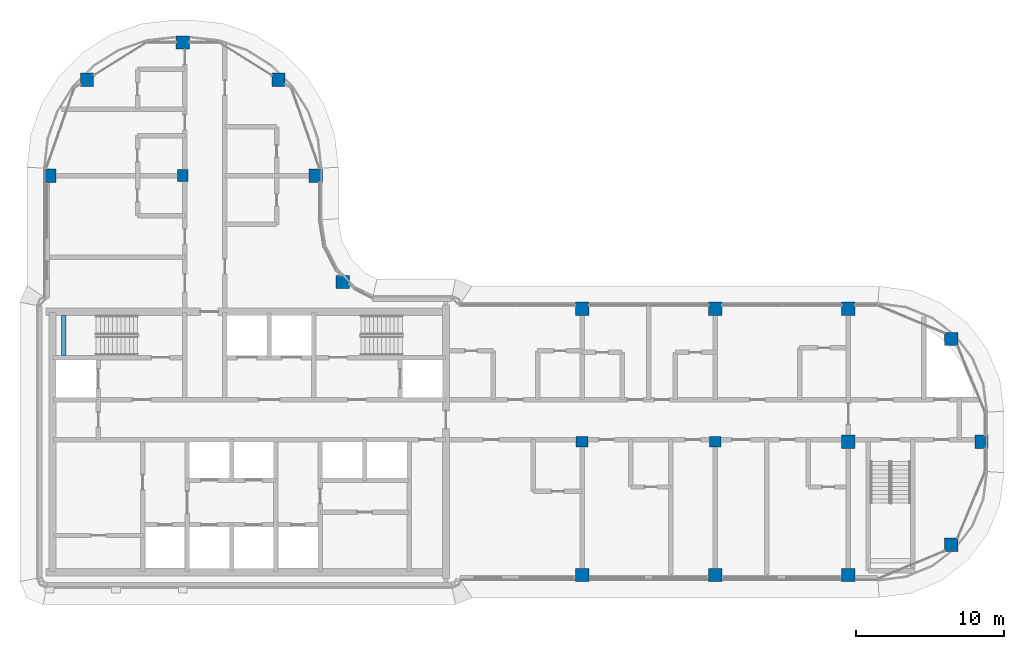
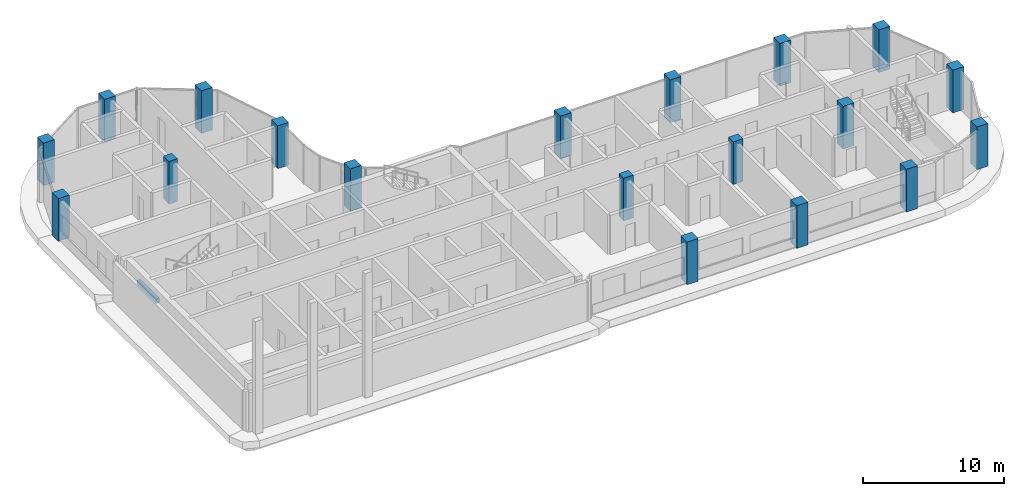
# One storey, part 1 of 20: 19 columns, 1 beam.
"""IFC4 building model written with IfcOpenShell, lengths in metres."""

from ifc_helpers import new_model, si_unit, direction, frame, origin, origin_2d, place, context, subcontext, project, spatial, rectangle, extrude, material, material_profile, profile_set, type_object, element, save


model = new_model("IFC4")

# Units and contexts
model_context = context("Model", 3, precision=1e-05, world=origin(), true_north=direction((0.0, 1.0)))
body_context = subcontext(model_context, "Body", "Model", "MODEL_VIEW")
ifc_project = project(units=[si_unit("LENGTHUNIT", "METRE"), si_unit("AREAUNIT", "SQUARE_METRE"), si_unit("VOLUMEUNIT", "CUBIC_METRE"), si_unit("PLANEANGLEUNIT", "RADIAN"), si_unit("MASSUNIT", "GRAM", prefix="KILO")], contexts=[model_context])

# Site, building, storey
site_placement = place(None, origin())
site = spatial("IfcSite", under=ifc_project, at=site_placement, CompositionType="ELEMENT")
building_placement = place(site_placement, origin())
building = spatial("IfcBuilding", under=site, at=building_placement, Name="Ogive Portal Towers", CompositionType="ELEMENT")
storey_placement = place(building_placement, frame((0.0, 0.0, 214.300048828125)))
storey = spatial("IfcBuildingStorey", under=building, at=storey_placement, Name="L53", CompositionType="ELEMENT", Elevation=214.300048828125)

# Columns
ifc_material_1 = material(Name="Concrete C60/75", Category="concrete")
ifc_material_profile_1 = material_profile(ifc_material_1, rectangle(XDim=0.800048828125, YDim=0.699951171875, at=origin_2d()), Name="RC 800x700")
ifc_profile_set_1 = profile_set([ifc_material_profile_1], Name="Concrete C60/75")
column_type_1 = type_object("IfcColumnType", Name="COLUMN RC 800x700", PredefinedType="COLUMN", material=ifc_profile_set_1)
for number, where, z_axis, x_axis, name in (
    (1, (67.5, 30.5, 0.0), (0.0, 0.0, 1.0), (1.0, 0.0, 0.0), "Column 5/B L53"),
    (2, (76.5, 30.5, 0.0), (0.0, 0.0, 1.0), (1.0, 0.0, 0.0), "Column 6/B L53"),
    (3, (40.5, 48.5, 0.0), (0.0, 0.0, 1.0), (0.0, 1.0, 0.0), "Column 2/D L53"),
):
    element("IfcColumn", number, at=place(storey_placement, frame(where, z_axis=z_axis, x_axis=x_axis)), inside=storey, type_object=column_type_1, Name=name, PredefinedType="COLUMN", context=body_context, shape_type="SweptSolid", body=[
        extrude(rectangle(XDim=0.800048828125, YDim=0.699951171875, at=origin_2d()), origin(), (0.0, 0.0, 1.0), 3.699951171875),
    ])
ifc_material_profile_2 = material_profile(ifc_material_1, rectangle(XDim=0.89990234375, YDim=0.89990234375, at=origin_2d()), Name="RC 900x900")
ifc_profile_set_2 = profile_set([ifc_material_profile_2], Name="Concrete C60/75")
column_type_2 = type_object("IfcColumnType", Name="COLUMN RC 900x900", PredefinedType="COLUMN", material=ifc_profile_set_2)
for number, where, z_axis, x_axis, name in (
    (4, (67.5, 21.5, 0.0), (0.0, 0.0, 1.0), (1.0, 0.0, 0.0), "Column 5/A L53"),
    (5, (76.5, 21.5, 0.0), (0.0, 0.0, 1.0), (1.0, 0.0, 0.0), "Column 6/A L53"),
    (6, (85.5, 21.5, 0.0), (0.0, 0.0, 1.0), (1.0, 0.0, 0.0), "Column 7/A L53"),
    (7, (92.449951171875, 23.550048828125, 0.0), (0.0, 0.0, 1.0), (1.0, 0.0, 0.0), "Column L53"),
    (8, (85.5, 30.5, 0.0), (0.0, 0.0, 1.0), (1.0, 0.0, 0.0), "Column 7/B L53"),
    (9, (94.5, 30.5, 0.0), (0.0, 0.0, 1.0), (1.0, 0.0, 0.0), "Column 8/B L53"),
    (10, (92.449951171875, 37.449951171875, 0.0), (0.0, 0.0, 1.0), (1.0, 0.0, 0.0), "Column L53"),
    (11, (67.5, 39.5, 0.0), (0.0, 0.0, 1.0), (1.0, 0.0, 0.0), "Column 5/C L53"),
    (12, (76.5, 39.5, 0.0), (0.0, 0.0, 1.0), (1.0, 0.0, 0.0), "Column 6/C L53"),
    (13, (85.5, 39.5, 0.0), (0.0, 0.0, 1.0), (1.0, 0.0, 0.0), "Column 7/C L53"),
    (14, (51.31005859375, 41.31005859375, 0.0), (0.0, 0.0, 1.0), (1.0, 0.0, 0.0), "Column L53"),
    (15, (31.5, 48.5, 0.0), (0.0, 0.0, 1.0), (1.0, 0.0, 0.0), "Column 1/D L53"),
    (16, (49.5, 48.5, 0.0), (0.0, 0.0, 1.0), (1.0, 0.0, 0.0), "Column 3/D L53"),
    (17, (34.027099609375, 54.972900390625, 0.0), (0.0, 0.0, 1.0), (1.0, 0.0, 0.0), "Column L53"),
    (18, (46.972900390625, 54.972900390625, 0.0), (0.0, 0.0, 1.0), (1.0, 0.0, 0.0), "Column L53"),
    (19, (40.5, 57.5, 0.0), (0.0, 0.0, 1.0), (1.0, 0.0, 0.0), "Column 2/E L53"),
):
    element("IfcColumn", number, at=place(storey_placement, frame(where, z_axis=z_axis, x_axis=x_axis)), inside=storey, type_object=column_type_2, Name=name, PredefinedType="COLUMN", context=body_context, shape_type="SweptSolid", body=[
        extrude(rectangle(XDim=0.89990234375, YDim=0.89990234375, at=origin_2d()), origin(), (0.0, 0.0, 1.0), 3.699951171875),
    ])

# Beam
ifc_material_2 = material(Name="Concrete C40/50", Category="concrete")
ifc_material_profile_3 = material_profile(ifc_material_2, rectangle(XDim=0.300048828125, YDim=0.39990234375, at=origin_2d()), Name="RC 300x400")
ifc_profile_set_3 = profile_set([ifc_material_profile_3], Name="Concrete C40/50")
beam_type = type_object("IfcBeamType", Name="BEAM RC 300x400", PredefinedType="BEAM", material=ifc_profile_set_3)
beam_placement = place(storey_placement, frame((32.449951171875, 36.35009765625, 1.449951171875), z_axis=(0.0, 1.0, 0.0), x_axis=(-1.0, 0.0, 0.0)))
element("IfcBeam", 20, at=beam_placement, inside=storey, type_object=beam_type, Name="Landing beam L53", PredefinedType="BEAM", context=body_context, shape_type="SweptSolid", body=[
    extrude(rectangle(XDim=0.300048828125, YDim=0.39990234375, at=origin_2d()), origin(), (0.0, 0.0, 1.0), 2.699951171875),
])

save(model, "model.ifc")
